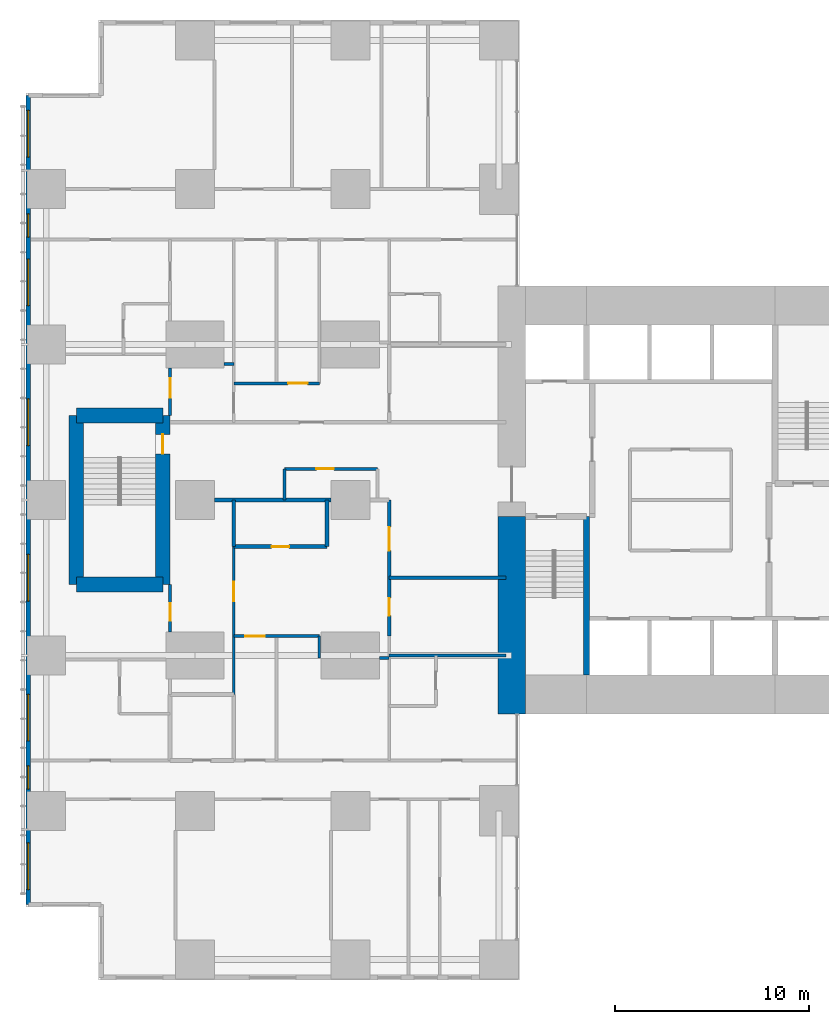
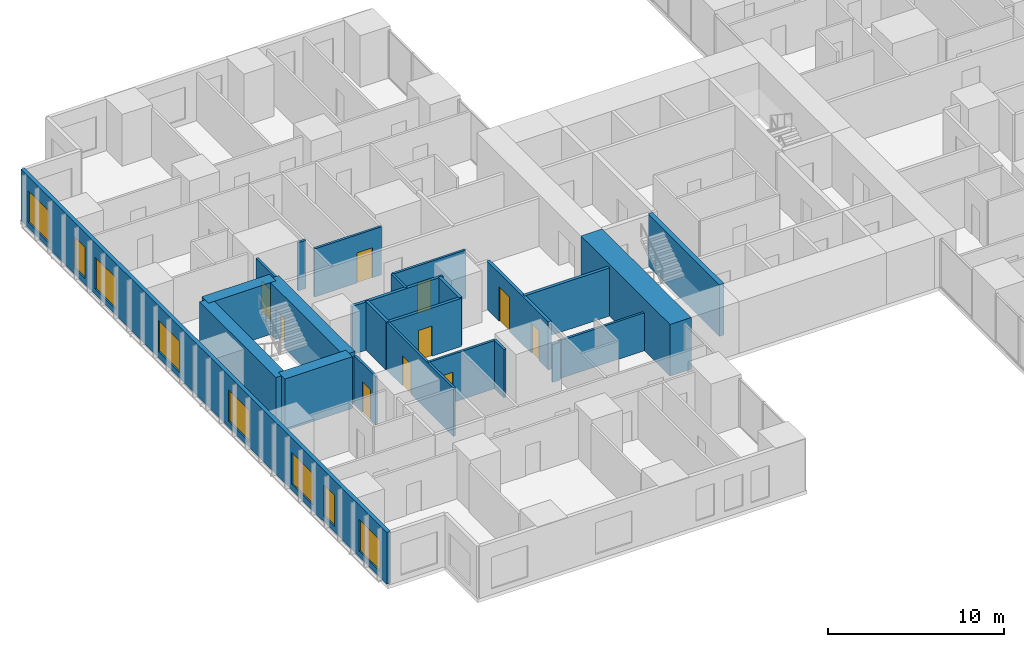
# One storey, part 13 of 20: 24 walls, 10 doors, 8 windows, 18 openings.
"""IFC4 building model written with IfcOpenShell, lengths in metres."""

from ifc_helpers import new_model, si_unit, direction, frame, frame_2d, origin, place, context, subcontext, project, spatial, rectangle, extrude, material, layer, layer_set, type_object, element, fill, save


model = new_model("IFC4")

# Units and contexts
model_context = context("Model", 3, precision=1e-05, world=origin(), true_north=direction((0.0, 1.0)))
body_context = subcontext(model_context, "Body", "Model", "MODEL_VIEW")
ifc_project = project(units=[si_unit("LENGTHUNIT", "METRE"), si_unit("AREAUNIT", "SQUARE_METRE"), si_unit("VOLUMEUNIT", "CUBIC_METRE"), si_unit("PLANEANGLEUNIT", "RADIAN"), si_unit("MASSUNIT", "GRAM", prefix="KILO")], contexts=[model_context])

# Site, building, storey
site_placement = place(None, origin())
site = spatial("IfcSite", under=ifc_project, at=site_placement, CompositionType="ELEMENT")
building_placement = place(site_placement, origin())
building = spatial("IfcBuilding", under=site, at=building_placement, Name="Cleftline Residences", CompositionType="ELEMENT")
storey_placement = place(building_placement, frame((0.0, 0.0, 157.39990234375)))
storey = spatial("IfcBuildingStorey", under=building, at=storey_placement, Name="L41", CompositionType="ELEMENT", Elevation=157.39990234375)

# Walls
ifc_material_1 = material(Name="Concrete B70", Category="concrete")
ifc_layer_1 = layer(ifc_material_1, 1.39990234375)
ifc_layer_set_1 = layer_set([ifc_layer_1], Name="CORE WALL 1400")
wall_type_1 = type_object("IfcWallType", Name="CORE WALL 1400", PredefinedType="SHEAR", material=ifc_layer_set_1)
wall_1_placement = place(storey_placement, frame((24.300048828125, 13.0, 0.0), z_axis=(0.0, 0.0, 1.0), x_axis=(0.0, 1.0, 0.0)))
element("IfcWall", 1, at=wall_1_placement, inside=storey, type_object=wall_type_1, Name="Core wall W0", PredefinedType="SHEAR", context=body_context, shape_type="SweptSolid", body=[
    extrude(rectangle(XDim=10.14990234375, YDim=1.39990234375, at=frame_2d((5.074951171875, 0.0))), origin(), (0.0, 0.0, 1.0), 3.60009765625),
])
ifc_material_2 = material(Name="Concrete B70", Category="concrete")
ifc_layer_2 = layer(ifc_material_2, 0.300048828125)
ifc_layer_set_2 = layer_set([ifc_layer_2], Name="CORE WALL 300")
wall_type_2 = type_object("IfcWallType", Name="CORE WALL 300", PredefinedType="SHEAR", material=ifc_layer_set_2)
wall_2_placement = place(storey_placement, frame((28.14990234375, 15.0, 0.0), z_axis=(0.0, 0.0, 1.0), x_axis=(0.0, 1.0, 0.0)))
element("IfcWall", 2, at=wall_2_placement, inside=storey, type_object=wall_type_2, Name="Core wall SA-E", PredefinedType="SHEAR", context=body_context, shape_type="SweptSolid", body=[
    extrude(rectangle(XDim=8.14990234375, YDim=0.300048828125, at=frame_2d((4.074951171875, 0.0))), origin(), (0.0, 0.0, 1.0), 3.60009765625),
])

# Wall, openings, windows
ifc_material_3 = material(Name="Rendered reinforced concrete blockwork", Category="masonry")
ifc_layer_3 = layer(ifc_material_3, 0.25)
ifc_layer_set_3 = layer_set([ifc_layer_3], Name="EXTERNAL WALL 250")
wall_type_3 = type_object("IfcWallType", Name="EXTERNAL WALL 250", PredefinedType="SOLIDWALL", material=ifc_layer_set_3)
wall_3_placement = place(storey_placement, frame((-0.574951171875, 44.824951171875, 0.0), z_axis=(0.0, 0.0, 1.0), x_axis=(0.0, -1.0, 0.0)))
wall_3 = element("IfcWall", 3, at=wall_3_placement, inside=storey, type_object=wall_type_3, Name="External wall", PredefinedType="SOLIDWALL", context=body_context, shape_type="SweptSolid", body=[
    extrude(rectangle(XDim=41.64990234375, YDim=0.25, at=frame_2d((20.824951171875, 0.0))), origin(), (0.0, 0.0, 1.0), 3.60009765625),
])
opening_1_placement = place(wall_3_placement, frame((0.77490234375, 0.0, 0.39990234375)))
opening_1 = element("IfcOpeningElement", 4, at=opening_1_placement, cuts=wall_3, Name="Opening W12", PredefinedType="OPENING", context=body_context, shape_type="SweptSolid", body=[
    extrude(rectangle(XDim=2.39990234375, YDim=2.199951171875, at=frame_2d((1.199951171875, 1.10009765625))), frame((0.0, 0.135009765625, 0.0), z_axis=(0.0, -1.0, 0.0), x_axis=(1.0, 0.0, 0.0)), (0.0, 0.0, 1.0), 0.27001953125),
])
opening_2_placement = place(wall_3_placement, frame((6.10009765625, 0.0, 0.39990234375)))
opening_2 = element("IfcOpeningElement", 5, at=opening_2_placement, cuts=wall_3, Name="Opening W11", PredefinedType="OPENING", context=body_context, shape_type="SweptSolid", body=[
    extrude(rectangle(XDim=1.199951171875, YDim=2.199951171875, at=frame_2d((0.60009765625, 1.10009765625))), frame((0.0, 0.135009765625, 0.0), z_axis=(0.0, -1.0, 0.0), x_axis=(1.0, 0.0, 0.0)), (0.0, 0.0, 1.0), 0.27001953125),
])
opening_3_placement = place(wall_3_placement, frame((8.425048828125, 0.0, 0.39990234375)))
opening_3 = element("IfcOpeningElement", 6, at=opening_3_placement, cuts=wall_3, Name="Opening W12", PredefinedType="OPENING", context=body_context, shape_type="SweptSolid", body=[
    extrude(rectangle(XDim=2.39990234375, YDim=2.199951171875, at=frame_2d((1.199951171875, 1.10009765625))), frame((0.0, 0.135009765625, 0.0), z_axis=(0.0, -1.0, 0.0), x_axis=(1.0, 0.0, 0.0)), (0.0, 0.0, 1.0), 0.27001953125),
])
opening_4_placement = place(wall_3_placement, frame((15.625, 0.0, 0.39990234375)))
opening_4 = element("IfcOpeningElement", 7, at=opening_4_placement, cuts=wall_3, Name="Opening W12", PredefinedType="OPENING", context=body_context, shape_type="SweptSolid", body=[
    extrude(rectangle(XDim=2.39990234375, YDim=2.199951171875, at=frame_2d((1.199951171875, 1.10009765625))), frame((0.0, 0.135009765625, 0.0), z_axis=(0.0, -1.0, 0.0), x_axis=(1.0, 0.0, 0.0)), (0.0, 0.0, 1.0), 0.27001953125),
])
opening_5_placement = place(wall_3_placement, frame((23.625, 0.0, 0.39990234375)))
opening_5 = element("IfcOpeningElement", 8, at=opening_5_placement, cuts=wall_3, Name="Opening W12", PredefinedType="OPENING", context=body_context, shape_type="SweptSolid", body=[
    extrude(rectangle(XDim=2.39990234375, YDim=2.199951171875, at=frame_2d((1.199951171875, 1.10009765625))), frame((0.0, 0.135009765625, 0.0), z_axis=(0.0, -1.0, 0.0), x_axis=(1.0, 0.0, 0.0)), (0.0, 0.0, 1.0), 0.27001953125),
])
opening_6_placement = place(wall_3_placement, frame((30.824951171875, 0.0, 0.39990234375)))
opening_6 = element("IfcOpeningElement", 9, at=opening_6_placement, cuts=wall_3, Name="Opening W12", PredefinedType="OPENING", context=body_context, shape_type="SweptSolid", body=[
    extrude(rectangle(XDim=2.39990234375, YDim=2.199951171875, at=frame_2d((1.199951171875, 1.10009765625))), frame((0.0, 0.135009765625, 0.0), z_axis=(0.0, -1.0, 0.0), x_axis=(1.0, 0.0, 0.0)), (0.0, 0.0, 1.0), 0.27001953125),
])
opening_7_placement = place(wall_3_placement, frame((34.5, 0.0, 0.39990234375)))
opening_7 = element("IfcOpeningElement", 10, at=opening_7_placement, cuts=wall_3, Name="Opening W11", PredefinedType="OPENING", context=body_context, shape_type="SweptSolid", body=[
    extrude(rectangle(XDim=1.199951171875, YDim=2.199951171875, at=frame_2d((0.60009765625, 1.10009765625))), frame((0.0, 0.135009765625, 0.0), z_axis=(0.0, -1.0, 0.0), x_axis=(1.0, 0.0, 0.0)), (0.0, 0.0, 1.0), 0.27001953125),
])
opening_8_placement = place(wall_3_placement, frame((38.47509765625, 0.0, 0.39990234375)))
opening_8 = element("IfcOpeningElement", 11, at=opening_8_placement, cuts=wall_3, Name="Opening W12", PredefinedType="OPENING", context=body_context, shape_type="SweptSolid", body=[
    extrude(rectangle(XDim=2.39990234375, YDim=2.199951171875, at=frame_2d((1.199951171875, 1.10009765625))), frame((0.0, 0.135009765625, 0.0), z_axis=(0.0, -1.0, 0.0), x_axis=(1.0, 0.0, 0.0)), (0.0, 0.0, 1.0), 0.27001953125),
])
ifc_material_4 = material(Name="Aluminium frame, clear double glazing", Category="aluminium")
window_type_1 = type_object("IfcWindowType", Name="WINDOW 1200X2200", PartitioningType="DOUBLE_PANEL_VERTICAL", PredefinedType="WINDOW", material=ifc_material_4)
window_1_placement = place(opening_2_placement, origin())
window_1 = element("IfcWindow", 12, at=window_1_placement, inside=storey, type_object=window_type_1, Name="Window", OverallHeight=2.199951171875, OverallWidth=1.199951171875, PartitioningType="SINGLE_PANEL", PredefinedType="WINDOW", context=body_context, shape_type="SweptSolid", body=[
    extrude(rectangle(XDim=1.199951171875, YDim=2.199951171875, at=frame_2d((0.60009765625, 1.10009765625))), frame((0.0, 0.030029296875, 0.0), z_axis=(0.0, -1.0, 0.0), x_axis=(1.0, 0.0, 0.0)), (0.0, 0.0, 1.0), 0.06005859375),
])
fill(opening_2, window_1)
window_2_placement = place(opening_7_placement, origin())
window_2 = element("IfcWindow", 13, at=window_2_placement, inside=storey, type_object=window_type_1, Name="Window", OverallHeight=2.199951171875, OverallWidth=1.199951171875, PartitioningType="SINGLE_PANEL", PredefinedType="WINDOW", context=body_context, shape_type="SweptSolid", body=[
    extrude(rectangle(XDim=1.199951171875, YDim=2.199951171875, at=frame_2d((0.60009765625, 1.10009765625))), frame((0.0, 0.030029296875, 0.0), z_axis=(0.0, -1.0, 0.0), x_axis=(1.0, 0.0, 0.0)), (0.0, 0.0, 1.0), 0.06005859375),
])
fill(opening_7, window_2)
ifc_material_5 = material(Name="Aluminium frame, clear double glazing", Category="aluminium")
window_type_2 = type_object("IfcWindowType", Name="WINDOW 2400X2200", PartitioningType="DOUBLE_PANEL_VERTICAL", PredefinedType="WINDOW", material=ifc_material_5)
window_3_placement = place(opening_1_placement, origin())
window_3 = element("IfcWindow", 14, at=window_3_placement, inside=storey, type_object=window_type_2, Name="Window", OverallHeight=2.199951171875, OverallWidth=2.39990234375, PartitioningType="SINGLE_PANEL", PredefinedType="WINDOW", context=body_context, shape_type="SweptSolid", body=[
    extrude(rectangle(XDim=2.39990234375, YDim=2.199951171875, at=frame_2d((1.199951171875, 1.10009765625))), frame((0.0, 0.030029296875, 0.0), z_axis=(0.0, -1.0, 0.0), x_axis=(1.0, 0.0, 0.0)), (0.0, 0.0, 1.0), 0.06005859375),
])
fill(opening_1, window_3)
window_4_placement = place(opening_3_placement, origin())
window_4 = element("IfcWindow", 15, at=window_4_placement, inside=storey, type_object=window_type_2, Name="Window", OverallHeight=2.199951171875, OverallWidth=2.39990234375, PartitioningType="SINGLE_PANEL", PredefinedType="WINDOW", context=body_context, shape_type="SweptSolid", body=[
    extrude(rectangle(XDim=2.39990234375, YDim=2.199951171875, at=frame_2d((1.199951171875, 1.10009765625))), frame((0.0, 0.030029296875, 0.0), z_axis=(0.0, -1.0, 0.0), x_axis=(1.0, 0.0, 0.0)), (0.0, 0.0, 1.0), 0.06005859375),
])
fill(opening_3, window_4)
window_5_placement = place(opening_4_placement, origin())
window_5 = element("IfcWindow", 16, at=window_5_placement, inside=storey, type_object=window_type_2, Name="Window", OverallHeight=2.199951171875, OverallWidth=2.39990234375, PartitioningType="SINGLE_PANEL", PredefinedType="WINDOW", context=body_context, shape_type="SweptSolid", body=[
    extrude(rectangle(XDim=2.39990234375, YDim=2.199951171875, at=frame_2d((1.199951171875, 1.10009765625))), frame((0.0, 0.030029296875, 0.0), z_axis=(0.0, -1.0, 0.0), x_axis=(1.0, 0.0, 0.0)), (0.0, 0.0, 1.0), 0.06005859375),
])
fill(opening_4, window_5)
window_6_placement = place(opening_5_placement, origin())
window_6 = element("IfcWindow", 17, at=window_6_placement, inside=storey, type_object=window_type_2, Name="Window", OverallHeight=2.199951171875, OverallWidth=2.39990234375, PartitioningType="SINGLE_PANEL", PredefinedType="WINDOW", context=body_context, shape_type="SweptSolid", body=[
    extrude(rectangle(XDim=2.39990234375, YDim=2.199951171875, at=frame_2d((1.199951171875, 1.10009765625))), frame((0.0, 0.030029296875, 0.0), z_axis=(0.0, -1.0, 0.0), x_axis=(1.0, 0.0, 0.0)), (0.0, 0.0, 1.0), 0.06005859375),
])
fill(opening_5, window_6)
window_7_placement = place(opening_6_placement, origin())
window_7 = element("IfcWindow", 18, at=window_7_placement, inside=storey, type_object=window_type_2, Name="Window", OverallHeight=2.199951171875, OverallWidth=2.39990234375, PartitioningType="SINGLE_PANEL", PredefinedType="WINDOW", context=body_context, shape_type="SweptSolid", body=[
    extrude(rectangle(XDim=2.39990234375, YDim=2.199951171875, at=frame_2d((1.199951171875, 1.10009765625))), frame((0.0, 0.030029296875, 0.0), z_axis=(0.0, -1.0, 0.0), x_axis=(1.0, 0.0, 0.0)), (0.0, 0.0, 1.0), 0.06005859375),
])
fill(opening_6, window_7)
window_8_placement = place(opening_8_placement, origin())
window_8 = element("IfcWindow", 19, at=window_8_placement, inside=storey, type_object=window_type_2, Name="Window", OverallHeight=2.199951171875, OverallWidth=2.39990234375, PartitioningType="SINGLE_PANEL", PredefinedType="WINDOW", context=body_context, shape_type="SweptSolid", body=[
    extrude(rectangle(XDim=2.39990234375, YDim=2.199951171875, at=frame_2d((1.199951171875, 1.10009765625))), frame((0.0, 0.030029296875, 0.0), z_axis=(0.0, -1.0, 0.0), x_axis=(1.0, 0.0, 0.0)), (0.0, 0.0, 1.0), 0.06005859375),
])
fill(opening_8, window_8)

# Wall
ifc_material_6 = material(Name="Concrete blockwork, fire rated", Category="masonry")
ifc_layer_4 = layer(ifc_material_6, 0.199951171875)
ifc_layer_set_4 = layer_set([ifc_layer_4], Name="FIRE WALL 200")
wall_type_4 = type_object("IfcWallType", Name="FIRE WALL 200", PredefinedType="PARTITIONING", material=ifc_layer_set_4)
wall_4_placement = place(storey_placement, frame((18.0, 20.0, 0.0), z_axis=(0.0, 0.0, 1.0), x_axis=(1.0, 0.0, 0.0)))
element("IfcWall", 20, at=wall_4_placement, inside=storey, type_object=wall_type_4, Name="Fire separating wall", PredefinedType="PARTITIONING", context=body_context, shape_type="SweptSolid", body=[
    extrude(rectangle(XDim=6.0, YDim=0.199951171875, at=frame_2d((3.0, 0.0))), origin(), (0.0, 0.0, 1.0), 3.35009765625),
])

# Wall, opening, door
wall_5_placement = place(storey_placement, frame((10.0, 21.60009765625, 0.0), z_axis=(0.0, 0.0, 1.0), x_axis=(1.0, 0.0, 0.0)))
wall_5 = element("IfcWall", 21, at=wall_5_placement, inside=storey, type_object=wall_type_4, Name="Fire separating wall", PredefinedType="PARTITIONING", context=body_context, shape_type="SweptSolid", body=[
    extrude(rectangle(XDim=4.800048828125, YDim=0.199951171875, at=frame_2d((2.39990234375, 0.0))), origin(), (0.0, 0.0, 1.0), 3.35009765625),
])
opening_9_placement = place(wall_5_placement, frame((1.949951171875, 0.0, 0.0)))
opening_9 = element("IfcOpeningElement", 22, at=opening_9_placement, cuts=wall_5, Name="Opening D1F30", PredefinedType="OPENING", context=body_context, shape_type="SweptSolid", body=[
    extrude(rectangle(XDim=0.89990234375, YDim=2.10009765625, at=frame_2d((0.449951171875, 1.050048828125))), frame((0.0, 0.10986328125, 0.0), z_axis=(0.0, -1.0, 0.0), x_axis=(1.0, 0.0, 0.0)), (0.0, 0.0, 1.0), 0.219970703125),
])
ifc_material_7 = material(Name="Timber veneer on solid core", Category="wood")
door_type_1 = type_object("IfcDoorType", Name="DOOR 900X2100 EI 30", OperationType="SINGLE_SWING_LEFT", PredefinedType="DOOR", material=ifc_material_7)
door_1_placement = place(opening_9_placement, origin())
door_1 = element("IfcDoor", 23, at=door_1_placement, inside=storey, type_object=door_type_1, Name="Door to cloakroom wc", OperationType="SINGLE_SWING_LEFT", OverallHeight=2.10009765625, OverallWidth=0.89990234375, PredefinedType="DOOR", context=body_context, shape_type="SweptSolid", body=[
    extrude(rectangle(XDim=0.89990234375, YDim=2.10009765625, at=frame_2d((0.449951171875, 1.050048828125))), frame((0.0, 0.02490234375, 0.0), z_axis=(0.0, -1.0, 0.0), x_axis=(1.0, 0.0, 0.0)), (0.0, 0.0, 1.0), 0.050048828125),
])
fill(opening_9, door_1)

# Walls
wall_6_placement = place(storey_placement, frame((9.0, 24.0, 0.0), z_axis=(0.0, 0.0, 1.0), x_axis=(1.0, 0.0, 0.0)))
element("IfcWall", 24, at=wall_6_placement, inside=storey, type_object=wall_type_4, Name="Fire separating wall", PredefinedType="PARTITIONING", context=body_context, shape_type="SweptSolid", body=[
    extrude(rectangle(XDim=6.0, YDim=0.199951171875, at=frame_2d((3.0, 0.0))), origin(), (0.0, 0.0, 1.0), 3.35009765625),
])
for number, where, z_axis, x_axis, name in (
    (25, (10.0, 21.60009765625, 0.0), (0.0, 0.0, 1.0), (0.0, 1.0, 0.0), "Fire separating wall"),
    (26, (14.800048828125, 21.60009765625, 0.0), (0.0, 0.0, 1.0), (0.0, 1.0, 0.0), "Fire separating wall"),
):
    element("IfcWall", number, at=place(storey_placement, frame(where, z_axis=z_axis, x_axis=x_axis)), inside=storey, type_object=wall_type_4, Name=name, PredefinedType="PARTITIONING", context=body_context, shape_type="SweptSolid", body=[
        extrude(rectangle(XDim=2.39990234375, YDim=0.199951171875, at=frame_2d((1.199951171875, 0.0))), origin(), (0.0, 0.0, 1.0), 3.35009765625),
    ])

# Wall, openings, doors
wall_7_placement = place(storey_placement, frame((18.0, 17.0, 0.0), z_axis=(0.0, 0.0, 1.0), x_axis=(0.0, 1.0, 0.0)))
wall_7 = element("IfcWall", 27, at=wall_7_placement, inside=storey, type_object=wall_type_4, Name="Fire separating wall", PredefinedType="PARTITIONING", context=body_context, shape_type="SweptSolid", body=[
    extrude(rectangle(XDim=7.0, YDim=0.199951171875, at=frame_2d((3.5, 0.0))), origin(), (0.0, 0.0, 1.0), 3.35009765625),
])
opening_10_placement = place(wall_7_placement, frame((4.39990234375, 0.0, 0.0)))
opening_10 = element("IfcOpeningElement", 28, at=opening_10_placement, cuts=wall_7, Name="Opening D4", PredefinedType="OPENING", context=body_context, shape_type="SweptSolid", body=[
    extrude(rectangle(XDim=1.199951171875, YDim=2.39990234375, at=frame_2d((0.60009765625, 1.199951171875))), frame((0.0, 0.10986328125, 0.0), z_axis=(0.0, -1.0, 0.0), x_axis=(1.0, 0.0, 0.0)), (0.0, 0.0, 1.0), 0.219970703125),
])
opening_11_placement = place(wall_7_placement, frame((1.050048828125, 0.0, 0.0)))
opening_11 = element("IfcOpeningElement", 29, at=opening_11_placement, cuts=wall_7, Name="Opening D1F30", PredefinedType="OPENING", context=body_context, shape_type="SweptSolid", body=[
    extrude(rectangle(XDim=0.89990234375, YDim=2.10009765625, at=frame_2d((0.449951171875, 1.050048828125))), frame((0.0, 0.10986328125, 0.0), z_axis=(0.0, -1.0, 0.0), x_axis=(1.0, 0.0, 0.0)), (0.0, 0.0, 1.0), 0.219970703125),
])
ifc_material_8 = material(Name="Timber veneer on solid core", Category="wood")
door_type_2 = type_object("IfcDoorType", Name="APARTMENT ENTRANCE DOOR 1200X2400", OperationType="SINGLE_SWING_RIGHT", PredefinedType="DOOR", material=ifc_material_8)
door_2_placement = place(opening_10_placement, origin())
door_2 = element("IfcDoor", 30, at=door_2_placement, inside=storey, type_object=door_type_2, Name="Door to residence entrance foyer", OperationType="SINGLE_SWING_LEFT", OverallHeight=2.39990234375, OverallWidth=1.199951171875, PredefinedType="DOOR", context=body_context, shape_type="SweptSolid", body=[
    extrude(rectangle(XDim=1.199951171875, YDim=2.39990234375, at=frame_2d((0.60009765625, 1.199951171875))), frame((0.0, 0.02490234375, 0.0), z_axis=(0.0, -1.0, 0.0), x_axis=(1.0, 0.0, 0.0)), (0.0, 0.0, 1.0), 0.050048828125),
])
fill(opening_10, door_2)
door_3_placement = place(opening_11_placement, origin())
door_3 = element("IfcDoor", 31, at=door_3_placement, inside=storey, type_object=door_type_1, Name="Door to utility room", OperationType="SINGLE_SWING_RIGHT", OverallHeight=2.10009765625, OverallWidth=0.89990234375, PredefinedType="DOOR", context=body_context, shape_type="SweptSolid", body=[
    extrude(rectangle(XDim=0.89990234375, YDim=2.10009765625, at=frame_2d((0.449951171875, 1.050048828125))), frame((0.0, 0.02490234375, 0.0), z_axis=(0.0, -1.0, 0.0), x_axis=(1.0, 0.0, 0.0)), (0.0, 0.0, 1.0), 0.050048828125),
])
fill(opening_11, door_3)

# Walls
ifc_material_9 = material(Name="Gypsum board on steel studs", Category="steel")
ifc_layer_5 = layer(ifc_material_9, 0.14990234375)
ifc_layer_set_5 = layer_set([ifc_layer_5], Name="PARTITION 150")
wall_type_5 = type_object("IfcWallType", Name="PARTITION 150", PredefinedType="PARTITIONING", material=ifc_layer_set_5)
wall_8_placement = place(storey_placement, frame((17.5, 15.875, 0.0), z_axis=(0.0, 0.0, 1.0), x_axis=(1.0, 0.0, 0.0)))
element("IfcWall", 32, at=wall_8_placement, inside=storey, type_object=wall_type_5, Name="Partition", PredefinedType="PARTITIONING", context=body_context, shape_type="SweptSolid", body=[
    extrude(rectangle(XDim=0.5, YDim=0.14990234375, at=frame_2d((0.25, 0.0))), origin(), (0.0, 0.0, 1.0), 2.634033203125),
])
wall_9_placement = place(storey_placement, frame((18.0, 16.0, 0.0), z_axis=(0.0, 0.0, 1.0), x_axis=(1.0, 0.0, 0.0)))
element("IfcWall", 33, at=wall_9_placement, inside=storey, type_object=wall_type_5, Name="Partition", PredefinedType="PARTITIONING", context=body_context, shape_type="SweptSolid", body=[
    extrude(rectangle(XDim=6.0, YDim=0.14990234375, at=frame_2d((3.0, 0.0))), origin(), (0.0, 0.0, 1.0), 2.634033203125),
])

# Wall, opening, door
wall_10_placement = place(storey_placement, frame((10.0, 17.0, 0.0), z_axis=(0.0, 0.0, 1.0), x_axis=(1.0, 0.0, 0.0)))
wall_10 = element("IfcWall", 34, at=wall_10_placement, inside=storey, type_object=wall_type_5, Name="Partition", PredefinedType="PARTITIONING", context=body_context, shape_type="SweptSolid", body=[
    extrude(rectangle(XDim=4.39990234375, YDim=0.14990234375, at=frame_2d((2.199951171875, 0.0))), origin(), (0.0, 0.0, 1.0), 3.35009765625),
])
opening_12_placement = place(wall_10_placement, frame((0.60009765625, 0.0, 0.0)))
opening_12 = element("IfcOpeningElement", 35, at=opening_12_placement, cuts=wall_10, Name="Opening D2", PredefinedType="OPENING", context=body_context, shape_type="SweptSolid", body=[
    extrude(rectangle(XDim=1.0, YDim=2.10009765625, at=frame_2d((0.5, 1.050048828125))), frame((0.0, 0.0849609375, 0.0), z_axis=(0.0, -1.0, 0.0), x_axis=(1.0, 0.0, 0.0)), (0.0, 0.0, 1.0), 0.169921875),
])
ifc_material_10 = material(Name="Timber veneer on solid core", Category="wood")
door_type_3 = type_object("IfcDoorType", Name="DOOR 1000X2100", OperationType="SINGLE_SWING_LEFT", PredefinedType="DOOR", material=ifc_material_10)
door_4_placement = place(opening_12_placement, origin())
door_4 = element("IfcDoor", 36, at=door_4_placement, inside=storey, type_object=door_type_3, Name="Door to residence passage", OperationType="SINGLE_SWING_RIGHT", OverallHeight=2.10009765625, OverallWidth=1.0, PredefinedType="DOOR", context=body_context, shape_type="SweptSolid", body=[
    extrude(rectangle(XDim=1.0, YDim=2.10009765625, at=frame_2d((0.5, 1.050048828125))), frame((0.0, 0.02490234375, 0.0), z_axis=(0.0, -1.0, 0.0), x_axis=(1.0, 0.0, 0.0)), (0.0, 0.0, 1.0), 0.050048828125),
])
fill(opening_12, door_4)

wall_11_placement = place(storey_placement, frame((12.60009765625, 25.60009765625, 0.0), z_axis=(0.0, 0.0, 1.0), x_axis=(1.0, 0.0, 0.0)))
wall_11 = element("IfcWall", 37, at=wall_11_placement, inside=storey, type_object=wall_type_5, Name="Partition", PredefinedType="PARTITIONING", context=body_context, shape_type="SweptSolid", body=[
    extrude(rectangle(XDim=4.7998046875, YDim=0.14990234375, at=frame_2d((2.39990234375, 0.0))), origin(), (0.0, 0.0, 1.0), 3.35009765625),
])
opening_13_placement = place(wall_11_placement, frame((1.64990234375, 0.0, 0.0)))
opening_13 = element("IfcOpeningElement", 38, at=opening_13_placement, cuts=wall_11, Name="Opening D1", PredefinedType="OPENING", context=body_context, shape_type="SweptSolid", body=[
    extrude(rectangle(XDim=0.89990234375, YDim=2.10009765625, at=frame_2d((0.449951171875, 1.050048828125))), frame((0.0, 0.0849609375, 0.0), z_axis=(0.0, -1.0, 0.0), x_axis=(1.0, 0.0, 0.0)), (0.0, 0.0, 1.0), 0.169921875),
])
ifc_material_11 = material(Name="Timber veneer on solid core", Category="wood")
door_type_4 = type_object("IfcDoorType", Name="DOOR 900X2100", OperationType="SINGLE_SWING_LEFT", PredefinedType="DOOR", material=ifc_material_11)
door_5_placement = place(opening_13_placement, origin())
door_5 = element("IfcDoor", 39, at=door_5_placement, inside=storey, type_object=door_type_4, Name="Door to bulky waste room", OperationType="SINGLE_SWING_RIGHT", OverallHeight=2.10009765625, OverallWidth=0.89990234375, PredefinedType="DOOR", context=body_context, shape_type="SweptSolid", body=[
    extrude(rectangle(XDim=0.89990234375, YDim=2.10009765625, at=frame_2d((0.449951171875, 1.050048828125))), frame((0.0, 0.02490234375, 0.0), z_axis=(0.0, -1.0, 0.0), x_axis=(1.0, 0.0, 0.0)), (0.0, 0.0, 1.0), 0.050048828125),
])
fill(opening_13, door_5)

wall_12_placement = place(storey_placement, frame((10.0, 30.0, 0.0), z_axis=(0.0, 0.0, 1.0), x_axis=(1.0, 0.0, 0.0)))
wall_12 = element("IfcWall", 40, at=wall_12_placement, inside=storey, type_object=wall_type_5, Name="Partition", PredefinedType="PARTITIONING", context=body_context, shape_type="SweptSolid", body=[
    extrude(rectangle(XDim=4.39990234375, YDim=0.14990234375, at=frame_2d((2.199951171875, 0.0))), origin(), (0.0, 0.0, 1.0), 3.35009765625),
])
opening_14_placement = place(wall_12_placement, frame((2.800048828125, 0.0, 0.0)))
opening_14 = element("IfcOpeningElement", 41, at=opening_14_placement, cuts=wall_12, Name="Opening D2", PredefinedType="OPENING", context=body_context, shape_type="SweptSolid", body=[
    extrude(rectangle(XDim=1.0, YDim=2.10009765625, at=frame_2d((0.5, 1.050048828125))), frame((0.0, 0.0849609375, 0.0), z_axis=(0.0, -1.0, 0.0), x_axis=(1.0, 0.0, 0.0)), (0.0, 0.0, 1.0), 0.169921875),
])
door_6_placement = place(opening_14_placement, origin())
door_6 = element("IfcDoor", 42, at=door_6_placement, inside=storey, type_object=door_type_3, Name="Door to residence passage", OperationType="SINGLE_SWING_LEFT", OverallHeight=2.10009765625, OverallWidth=1.0, PredefinedType="DOOR", context=body_context, shape_type="SweptSolid", body=[
    extrude(rectangle(XDim=1.0, YDim=2.10009765625, at=frame_2d((0.5, 1.050048828125))), frame((0.0, 0.02490234375, 0.0), z_axis=(0.0, -1.0, 0.0), x_axis=(1.0, 0.0, 0.0)), (0.0, 0.0, 1.0), 0.050048828125),
])
fill(opening_14, door_6)

# Wall
wall_13_placement = place(storey_placement, frame((9.5, 31.0, 0.0), z_axis=(0.0, 0.0, 1.0), x_axis=(1.0, 0.0, 0.0)))
element("IfcWall", 43, at=wall_13_placement, inside=storey, type_object=wall_type_5, Name="Partition", PredefinedType="PARTITIONING", context=body_context, shape_type="SweptSolid", body=[
    extrude(rectangle(XDim=0.5, YDim=0.14990234375, at=frame_2d((0.25, 0.0))), origin(), (0.0, 0.0, 1.0), 3.35009765625),
])

# Wall, opening, door
wall_14_placement = place(storey_placement, frame((6.72509765625, 17.199951171875, 0.0), z_axis=(0.0, 0.0, 1.0), x_axis=(0.0, 1.0, 0.0)))
wall_14 = element("IfcWall", 44, at=wall_14_placement, inside=storey, type_object=wall_type_5, Name="Partition", PredefinedType="PARTITIONING", context=body_context, shape_type="SweptSolid", body=[
    extrude(rectangle(XDim=2.449951171875, YDim=0.14990234375, at=frame_2d((1.22509765625, 0.0))), origin(), (0.0, 0.0, 1.0), 3.35009765625),
])
opening_15_placement = place(wall_14_placement, frame((0.58740234375, 0.0, 0.0)))
opening_15 = element("IfcOpeningElement", 45, at=opening_15_placement, cuts=wall_14, Name="Opening D1", PredefinedType="OPENING", context=body_context, shape_type="SweptSolid", body=[
    extrude(rectangle(XDim=0.89990234375, YDim=2.10009765625, at=frame_2d((0.449951171875, 1.050048828125))), frame((0.0, 0.0849609375, 0.0), z_axis=(0.0, -1.0, 0.0), x_axis=(1.0, 0.0, 0.0)), (0.0, 0.0, 1.0), 0.169921875),
])
door_7_placement = place(opening_15_placement, origin())
door_7 = element("IfcDoor", 46, at=door_7_placement, inside=storey, type_object=door_type_4, Name="Door to drying loggia", OperationType="SINGLE_SWING_RIGHT", OverallHeight=2.10009765625, OverallWidth=0.89990234375, PredefinedType="DOOR", context=body_context, shape_type="SweptSolid", body=[
    extrude(rectangle(XDim=0.89990234375, YDim=2.10009765625, at=frame_2d((0.449951171875, 1.050048828125))), frame((0.0, 0.02490234375, 0.0), z_axis=(0.0, -1.0, 0.0), x_axis=(1.0, 0.0, 0.0)), (0.0, 0.0, 1.0), 0.050048828125),
])
fill(opening_15, door_7)

wall_15_placement = place(storey_placement, frame((6.72509765625, 28.35009765625, 0.0), z_axis=(0.0, 0.0, 1.0), x_axis=(0.0, 1.0, 0.0)))
wall_15 = element("IfcWall", 47, at=wall_15_placement, inside=storey, type_object=wall_type_5, Name="Partition", PredefinedType="PARTITIONING", context=body_context, shape_type="SweptSolid", body=[
    extrude(rectangle(XDim=2.449951171875, YDim=0.14990234375, at=frame_2d((1.22509765625, 0.0))), origin(), (0.0, 0.0, 1.0), 3.35009765625),
])
opening_16_placement = place(wall_15_placement, frame((0.91259765625, 0.0, 0.0)))
opening_16 = element("IfcOpeningElement", 48, at=opening_16_placement, cuts=wall_15, Name="Opening D2", PredefinedType="OPENING", context=body_context, shape_type="SweptSolid", body=[
    extrude(rectangle(XDim=1.0, YDim=2.10009765625, at=frame_2d((0.5, 1.050048828125))), frame((0.0, 0.0849609375, 0.0), z_axis=(0.0, -1.0, 0.0), x_axis=(1.0, 0.0, 0.0)), (0.0, 0.0, 1.0), 0.169921875),
])
door_8_placement = place(opening_16_placement, origin())
door_8 = element("IfcDoor", 49, at=door_8_placement, inside=storey, type_object=door_type_3, Name="Door to winter garden", OperationType="SINGLE_SWING_LEFT", OverallHeight=2.10009765625, OverallWidth=1.0, PredefinedType="DOOR", context=body_context, shape_type="SweptSolid", body=[
    extrude(rectangle(XDim=1.0, YDim=2.10009765625, at=frame_2d((0.5, 1.050048828125))), frame((0.0, 0.02490234375, 0.0), z_axis=(0.0, -1.0, 0.0), x_axis=(1.0, 0.0, 0.0)), (0.0, 0.0, 1.0), 0.050048828125),
])
fill(opening_16, door_8)

wall_16_placement = place(storey_placement, frame((10.0, 14.0, 0.0), z_axis=(0.0, 0.0, 1.0), x_axis=(0.0, 1.0, 0.0)))
wall_16 = element("IfcWall", 50, at=wall_16_placement, inside=storey, type_object=wall_type_5, Name="Partition", PredefinedType="PARTITIONING", context=body_context, shape_type="SweptSolid", body=[
    extrude(rectangle(XDim=7.60009765625, YDim=0.14990234375, at=frame_2d((3.800048828125, 0.0))), origin(), (0.0, 0.0, 1.0), 3.35009765625),
])
opening_17_placement = place(wall_16_placement, frame((4.800048828125, 0.0, 0.0)))
opening_17 = element("IfcOpeningElement", 51, at=opening_17_placement, cuts=wall_16, Name="Opening D2F30", PredefinedType="OPENING", context=body_context, shape_type="SweptSolid", body=[
    extrude(rectangle(XDim=1.0, YDim=2.10009765625, at=frame_2d((0.5, 1.050048828125))), frame((0.0, 0.0849609375, 0.0), z_axis=(0.0, -1.0, 0.0), x_axis=(1.0, 0.0, 0.0)), (0.0, 0.0, 1.0), 0.169921875),
])
ifc_material_12 = material(Name="Timber veneer on solid core", Category="wood")
door_type_5 = type_object("IfcDoorType", Name="DOOR 1000X2100 EI 30", OperationType="SINGLE_SWING_LEFT", PredefinedType="DOOR", material=ifc_material_12)
door_9_placement = place(opening_17_placement, origin())
door_9 = element("IfcDoor", 52, at=door_9_placement, inside=storey, type_object=door_type_5, Name="Door to residence lobby", OperationType="SINGLE_SWING_LEFT", OverallHeight=2.10009765625, OverallWidth=1.0, PredefinedType="DOOR", context=body_context, shape_type="SweptSolid", body=[
    extrude(rectangle(XDim=1.0, YDim=2.10009765625, at=frame_2d((0.5, 1.050048828125))), frame((0.0, 0.02490234375, 0.0), z_axis=(0.0, -1.0, 0.0), x_axis=(1.0, 0.0, 0.0)), (0.0, 0.0, 1.0), 0.050048828125),
])
fill(opening_17, door_9)

# Walls
wall_17_placement = place(storey_placement, frame((12.60009765625, 24.0, 0.0), z_axis=(0.0, 0.0, 1.0), x_axis=(0.0, 1.0, 0.0)))
element("IfcWall", 53, at=wall_17_placement, inside=storey, type_object=wall_type_5, Name="Partition", PredefinedType="PARTITIONING", context=body_context, shape_type="SweptSolid", body=[
    extrude(rectangle(XDim=1.60009765625, YDim=0.14990234375, at=frame_2d((0.800048828125, 0.0))), origin(), (0.0, 0.0, 1.0), 3.35009765625),
])
wall_18_placement = place(storey_placement, frame((14.39990234375, 15.875, 0.0), z_axis=(0.0, 0.0, 1.0), x_axis=(0.0, 1.0, 0.0)))
element("IfcWall", 54, at=wall_18_placement, inside=storey, type_object=wall_type_5, Name="Partition", PredefinedType="PARTITIONING", context=body_context, shape_type="SweptSolid", body=[
    extrude(rectangle(XDim=1.125, YDim=0.14990234375, at=frame_2d((0.5625, 0.0))), origin(), (0.0, 0.0, 1.0), 3.35009765625),
])
ifc_material_13 = material(Name="Concrete B70", Category="concrete")
ifc_layer_6 = layer(ifc_material_13, 0.75)
ifc_layer_set_6 = layer_set([ifc_layer_6], Name="SHEAR WALL 750")
wall_type_6 = type_object("IfcWallType", Name="SHEAR WALL 750", PredefinedType="SHEAR", material=ifc_layer_set_6)
wall_19_placement = place(storey_placement, frame((1.89990234375, 19.64990234375, 0.0), z_axis=(0.0, 0.0, 1.0), x_axis=(1.0, 0.0, 0.0)))
element("IfcWall", 55, at=wall_19_placement, inside=storey, type_object=wall_type_6, Name="Wing shear wall", PredefinedType="SHEAR", context=body_context, shape_type="SweptSolid", body=[
    extrude(rectangle(XDim=4.4501953125, YDim=0.75, at=frame_2d((2.22509765625, 0.0))), origin(), (0.0, 0.0, 1.0), 3.60009765625),
])

# Wall, opening, door
wall_20_placement = place(storey_placement, frame((6.35009765625, 19.64990234375, 0.0), z_axis=(0.0, 0.0, 1.0), x_axis=(0.0, 1.0, 0.0)))
wall_20 = element("IfcWall", 56, at=wall_20_placement, inside=storey, type_object=wall_type_6, Name="Wing shear wall", PredefinedType="SHEAR", context=body_context, shape_type="SweptSolid", body=[
    extrude(rectangle(XDim=8.7001953125, YDim=0.75, at=frame_2d((4.35009765625, 0.0))), origin(), (0.0, 0.0, 1.0), 3.60009765625),
])
opening_18_placement = place(wall_20_placement, frame((6.72509765625, 0.0, 0.0)))
opening_18 = element("IfcOpeningElement", 57, at=opening_18_placement, cuts=wall_20, Name="Opening D5", PredefinedType="OPENING", context=body_context, shape_type="SweptSolid", body=[
    extrude(rectangle(XDim=1.0, YDim=2.10009765625, at=frame_2d((0.5, 1.050048828125))), frame((0.0, 0.385009765625, 0.0), z_axis=(0.0, -1.0, 0.0), x_axis=(1.0, 0.0, 0.0)), (0.0, 0.0, 1.0), 0.77001953125),
])
ifc_material_14 = material(Name="Steel", Category="steel")
door_type_6 = type_object("IfcDoorType", Name="STAIR DOOR 1000X2100", OperationType="SINGLE_SWING_LEFT", PredefinedType="DOOR", material=ifc_material_14)
door_10_placement = place(opening_18_placement, origin())
door_10 = element("IfcDoor", 58, at=door_10_placement, inside=storey, type_object=door_type_6, Name="Stair W door", OperationType="SINGLE_SWING_LEFT", OverallHeight=2.10009765625, OverallWidth=1.0, PredefinedType="DOOR", context=body_context, shape_type="SweptSolid", body=[
    extrude(rectangle(XDim=1.0, YDim=2.10009765625, at=frame_2d((0.5, 1.050048828125))), frame((0.0, 0.02490234375, 0.0), z_axis=(0.0, -1.0, 0.0), x_axis=(1.0, 0.0, 0.0)), (0.0, 0.0, 1.0), 0.050048828125),
])
fill(opening_18, door_10)

# Walls
wall_21_placement = place(storey_placement, frame((6.35009765625, 28.35009765625, 0.0), z_axis=(0.0, 0.0, 1.0), x_axis=(-1.0, 0.0, 0.0)))
element("IfcWall", 59, at=wall_21_placement, inside=storey, type_object=wall_type_6, Name="Wing shear wall", PredefinedType="SHEAR", context=body_context, shape_type="SweptSolid", body=[
    extrude(rectangle(XDim=4.4501953125, YDim=0.75, at=frame_2d((2.22509765625, 0.0))), origin(), (0.0, 0.0, 1.0), 3.60009765625),
])
wall_22_placement = place(storey_placement, frame((1.89990234375, 28.35009765625, 0.0), z_axis=(0.0, 0.0, 1.0), x_axis=(0.0, -1.0, 0.0)))
element("IfcWall", 60, at=wall_22_placement, inside=storey, type_object=wall_type_6, Name="Wing shear wall", PredefinedType="SHEAR", context=body_context, shape_type="SweptSolid", body=[
    extrude(rectangle(XDim=8.7001953125, YDim=0.75, at=frame_2d((4.35009765625, 0.0))), origin(), (0.0, 0.0, 1.0), 3.60009765625),
])

save(model, "model.ifc")
